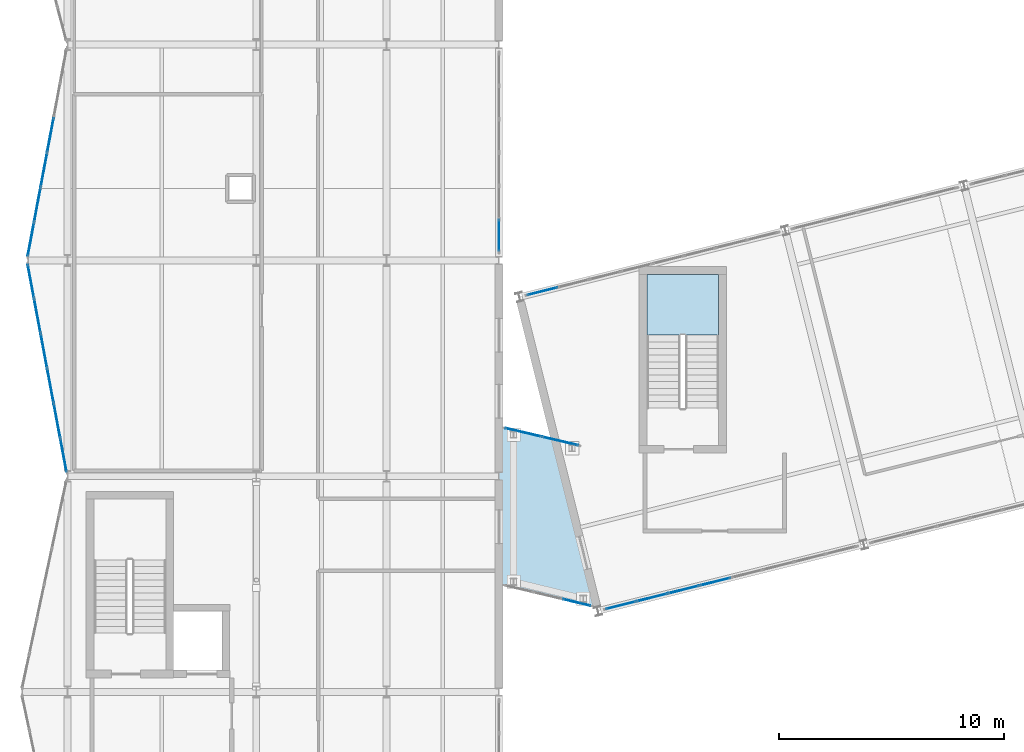
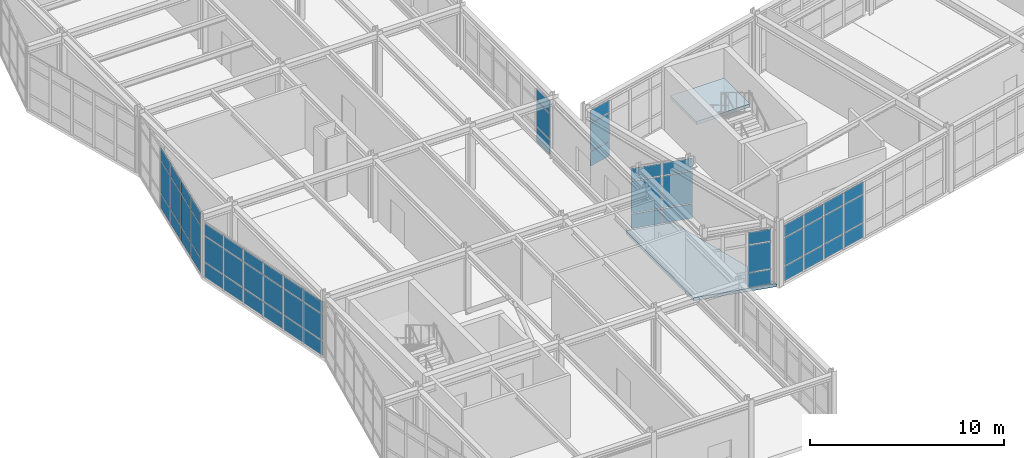
# One storey, part 45 of 76: 57 plates, 2 slabs, 8 elements without a shape of their own.
"""IFC4 building model written with IfcOpenShell, lengths in metres."""

import ifcopenshell
import ifcopenshell.guid

model = None  # the IFC model being written
_history = None  # IfcOwnerHistory: only IFC2X3 demands one
_inside = {}  # id of a spatial element -> (the spatial element, [elements in it])
_under = {}  # id of a project, library or spatial element -> (it, [spatial elements below it])
_declared = {}  # id of a project -> (the project, [libraries it declares])
_typed = {}  # id of a type object -> (the type object, [elements of that type])
_made_of = {}  # id of a material, layer set ... -> (it, [elements and type objects made of it])


def new_model(schema):
    """Start an empty IFC model of exactly this schema.

    Asked for "IFC4X3", IfcOpenShell would pick the latest addendum, in which some entities
    have other attributes; the version numbers below select the first issue.
    IFC2X3 requires an IfcOwnerHistory on every rooted entity: one is made here for all.
    """
    global model, _history
    if schema == "IFC4X3":
        model = ifcopenshell.file(schema_version=(4, 3, 0, 0))
    else:
        model = ifcopenshell.file(schema=schema)
    _inside.clear()
    _under.clear()
    _declared.clear()
    _typed.clear()
    _made_of.clear()
    _history = None
    if model.schema == "IFC2X3":
        org = make("IfcOrganization", Name="unknown")
        user = make(
            "IfcPersonAndOrganization",
            ThePerson=make("IfcPerson", FamilyName="unknown"),
            TheOrganization=org,
        )
        app = make(
            "IfcApplication",
            ApplicationDeveloper=org,
            Version="unknown",
            ApplicationFullName="unknown",
            ApplicationIdentifier="unknown",
        )
        _history = make(
            "IfcOwnerHistory",
            OwningUser=user,
            OwningApplication=app,
            ChangeAction="ADDED",
            CreationDate=0,
        )
    return model


def make(cls, **values):
    """One entity of the class cls with the attributes given. An attribute that is None is left unset."""
    return model.create_entity(
        cls, **{name: value for name, value in values.items() if value is not None}
    )


def rooted(cls, **values):
    """An entity with a GlobalId (a new one), such as an element, a storey or a relation."""
    return make(cls, GlobalId=ifcopenshell.guid.new(), OwnerHistory=_history, **values)


def si_unit(unit_type, name, prefix=None):
    """IfcSIUnit, for example si_unit("LENGTHUNIT", "METRE", prefix="MILLI")."""
    return make("IfcSIUnit", UnitType=unit_type, Prefix=prefix, Name=name)


def assignment(units):
    """IfcUnitAssignment: the units of a project."""
    return None if units is None else make("IfcUnitAssignment", Units=units)


def point(xyz):
    """IfcCartesianPoint."""
    return None if xyz is None else make("IfcCartesianPoint", Coordinates=xyz)


def direction(xyz):
    """IfcDirection."""
    return None if xyz is None else make("IfcDirection", DirectionRatios=xyz)


def frame(location, z_axis=None, x_axis=None):
    """IfcAxis2Placement3D, a coordinate frame: its origin and axes. An axis left out is left unset."""
    return make(
        "IfcAxis2Placement3D",
        Location=point(location),
        Axis=direction(z_axis),
        RefDirection=direction(x_axis),
    )


def frame_2d(location, x_axis=None):
    """IfcAxis2Placement2D, a coordinate frame in the plane: its origin and x axis."""
    return make(
        "IfcAxis2Placement2D", Location=point(location), RefDirection=direction(x_axis)
    )


def origin():
    """The frame at (0, 0, 0) with its axes left unset."""
    return frame((0.0, 0.0, 0.0))


def origin_2d():
    """The frame at (0, 0) in the plane with its x axis left unset."""
    return frame_2d((0.0, 0.0))


def place(relative_to, where):
    """IfcLocalPlacement: puts the frame where relative to a parent placement (None: the world)."""
    return make(
        "IfcLocalPlacement", PlacementRelTo=relative_to, RelativePlacement=where
    )


def context(
    kind, dimensions, precision=None, world=None, true_north=None, identifier=None
):
    """IfcGeometricRepresentationContext, for example the 3D "Model" context."""
    return make(
        "IfcGeometricRepresentationContext",
        ContextIdentifier=identifier,
        ContextType=kind,
        CoordinateSpaceDimension=dimensions,
        Precision=precision,
        WorldCoordinateSystem=world,
        TrueNorth=true_north,
    )


def subcontext(parent, identifier, kind, view, scale=None):
    """IfcGeometricRepresentationSubContext, for example "Body" below "Model"."""
    return make(
        "IfcGeometricRepresentationSubContext",
        ContextIdentifier=identifier,
        ContextType=kind,
        ParentContext=parent,
        TargetScale=scale,
        TargetView=view,
    )


def project(units=None, contexts=None):
    """IfcProject with its units and contexts."""
    return rooted(
        "IfcProject",
        Name="project",
        RepresentationContexts=contexts,
        UnitsInContext=assignment(units),
    )


def spatial(cls, under=None, at=None, **own):
    """A site, building, storey or space (cls), placed at a placement, below another one or the project."""
    s = rooted(cls, ObjectPlacement=at, **own)
    if under is not None:
        _under.setdefault(under.id(), (under, []))[1].append(s)
    return s


def polyline(points):
    """IfcPolyline through the points."""
    return make("IfcPolyline", Points=[point(p) for p in points])


def profile(cls, at=None, kind="AREA", **sizes):
    """A parametric profile (cls). Its sizes go by their IFC names, for example OverallWidth=200.0."""
    return make(cls, ProfileType=kind, Position=at, **sizes)


def rectangle(**sizes):
    """IfcRectangleProfileDef."""
    return profile("IfcRectangleProfileDef", **sizes)


def outline(outer, holes=None, kind="AREA"):
    """IfcArbitraryClosedProfileDef: a profile drawn as a closed curve; with holes, ...WithVoids."""
    if holes is None:
        return make("IfcArbitraryClosedProfileDef", ProfileType=kind, OuterCurve=outer)
    return make(
        "IfcArbitraryProfileDefWithVoids",
        ProfileType=kind,
        OuterCurve=outer,
        InnerCurves=holes,
    )


def extrude(swept, where, along, depth):
    """IfcExtrudedAreaSolid: the profile swept, set in the frame where, extruded along a direction by depth."""
    return make(
        "IfcExtrudedAreaSolid",
        SweptArea=swept,
        Position=where,
        ExtrudedDirection=direction(along),
        Depth=depth,
    )


def shape(context_of_items, identifier, shape_type, items):
    """IfcShapeRepresentation: the items that make up one representation, for example the "Body"."""
    return make(
        "IfcShapeRepresentation",
        ContextOfItems=context_of_items,
        RepresentationIdentifier=identifier,
        RepresentationType=shape_type,
        Items=items,
    )


def material(Name=None, Category=None):
    """IfcMaterial."""
    return make("IfcMaterial", Name=Name, Category=Category)


def layer(
    of_material, thickness, ventilated=None, Name=None, Category=None, Priority=None
):
    """IfcMaterialLayer: one layer of a wall or slab, of a material (None: an air gap)."""
    return make(
        "IfcMaterialLayer",
        Material=of_material,
        LayerThickness=thickness,
        IsVentilated=ventilated,
        Name=Name,
        Category=Category,
        Priority=Priority,
    )


def layer_set(layers, Name=None):
    """IfcMaterialLayerSet."""
    return make("IfcMaterialLayerSet", MaterialLayers=layers, LayerSetName=Name)


def made_of(thing, what):
    """Note that an element or type object is made of a material, layer set ...; save() writes the relation."""
    if what is not None:
        _made_of.setdefault(what.id(), (what, []))[1].append(thing)
    return thing


def type_object(cls, material=None, **own):
    """A type object (cls), such as IfcWallType, which elements share."""
    return made_of(rooted(cls, **own), material)


def element(
    cls,
    number,
    at=None,
    inside=None,
    cuts=None,
    type_object=None,
    material=None,
    context=None,
    identifier="Body",
    shape_type=None,
    held_by="IfcProductDefinitionShape",
    body=None,
    shapes=None,
    **own,
):
    """One element of the class cls, such as IfcWall. Its Tag is "e" and its number.

    at: its placement. inside: the storey or other place that contains it. cuts: it is an
    opening in that element (IfcRelVoidsElement). A single representation is given by context,
    identifier, shape_type and body (its items); several are given by shapes. held_by: the class
    of the entity that holds the representations. save() writes the other relations.
    """
    e = rooted(cls, Tag="e%d" % number, ObjectPlacement=at, **own)
    if body is not None:
        shapes = [shape(context, identifier, shape_type, body)]
    if shapes is not None:
        e.Representation = make(held_by, Representations=shapes)
    if inside is not None:
        _inside.setdefault(inside.id(), (inside, []))[1].append(e)
    if cuts is not None:
        rooted(
            "IfcRelVoidsElement", RelatingBuildingElement=cuts, RelatedOpeningElement=e
        )
    if type_object is not None:
        _typed.setdefault(type_object.id(), (type_object, []))[1].append(e)
    return made_of(e, material)


def aggregate(whole, parts):
    """IfcRelAggregates: a whole, such as a stair, and the parts it consists of."""
    return rooted("IfcRelAggregates", RelatingObject=whole, RelatedObjects=parts)


def save(model, path):
    """Write the relations noted so far, then the file.

    IfcRelAggregates (storeys below a building ...), IfcRelContainedInSpatialStructure (elements
    in a storey), IfcRelDefinesByType, IfcRelAssociatesMaterial and IfcRelDeclares: one each for
    every whole, place, type object, material and project.
    """
    for whole, parts in _under.values():
        aggregate(whole, parts)
    for where, things in _inside.values():
        rooted(
            "IfcRelContainedInSpatialStructure",
            RelatedElements=things,
            RelatingStructure=where,
        )
    for kind, things in _typed.values():
        rooted("IfcRelDefinesByType", RelatedObjects=things, RelatingType=kind)
    for what, things in _made_of.values():
        rooted("IfcRelAssociatesMaterial", RelatedObjects=things, RelatingMaterial=what)
    for by, libraries in _declared.values():
        rooted("IfcRelDeclares", RelatingContext=by, RelatedDefinitions=libraries)
    model.write(path)


model = new_model("IFC4")

# Units and contexts
model_context = context("Model", 3, precision=1e-05, world=origin(), true_north=direction((0.0, 1.0)))
body_context = subcontext(model_context, "Body", "Model", "MODEL_VIEW")
ifc_project = project(units=[si_unit("LENGTHUNIT", "METRE"), si_unit("AREAUNIT", "SQUARE_METRE"), si_unit("VOLUMEUNIT", "CUBIC_METRE"), si_unit("PLANEANGLEUNIT", "RADIAN"), si_unit("MASSUNIT", "GRAM", prefix="KILO")], contexts=[model_context])

# Site, building, storey
site_placement = place(None, origin())
site = spatial("IfcSite", under=ifc_project, at=site_placement, CompositionType="ELEMENT")
building_placement = place(site_placement, origin())
building = spatial("IfcBuilding", under=site, at=building_placement, Name="Nordkorset Police Headquarters", CompositionType="ELEMENT")
storey_placement = place(building_placement, frame((0.0, 0.0, 13.64990234375)))
storey = spatial("IfcBuildingStorey", under=building, at=storey_placement, Name="L03", CompositionType="ELEMENT", Elevation=13.64990234375)

# Curtain wall, plates
ifc_material_1 = material(Name="Aluminium alloy AW-6060", Category="aluminium")
ifc_layer_1 = layer(ifc_material_1, 0.179931640625, Name="Aluminium alloy AW-6060")
ifc_layer_set_1 = layer_set([ifc_layer_1], Name="Aluminium alloy AW-6060")
curtain_wall_type_1 = type_object("IfcCurtainWallType", Name="CW_Unit_949x352", PredefinedType="USERDEFINED", material=ifc_layer_set_1)
curtain_wall_1_placement = place(storey_placement, origin())
curtain_wall_1 = element("IfcCurtainWall", 1, at=curtain_wall_1_placement, inside=storey, type_object=curtain_wall_type_1, Name="Unitised Curtain Wall L03 V3W-2", ObjectType="UNITISED CURTAIN WALL", PredefinedType="USERDEFINED")
ifc_material_2 = material(Name="Low-iron triple glazing", Category="glass")
ifc_layer_2 = layer(ifc_material_2, 0.035888671875, Name="Low-iron triple glazing")
ifc_layer_set_2 = layer_set([ifc_layer_2], Name="Low-iron triple glazing")
plate_type = type_object("IfcPlateType", Name="CW_Panel_TripleGlazing_36", PredefinedType="CURTAIN_PANEL", material=ifc_layer_set_2)
plate_1_placement = place(storey_placement, frame((-0.174560546875, 48.9306640625, 0.06494140625), z_axis=(0.0, 0.0, 1.0), x_axis=(-0.184288535048, 0.982872186935, 0.0)))
plate_1 = element("IfcPlate", 2, at=plate_1_placement, type_object=plate_type, Name="CW-84 panel 1.1", PredefinedType="CURTAIN_PANEL", context=body_context, shape_type="SweptSolid", body=[
    extrude(rectangle(XDim=1.483642578125, YDim=0.035888671875, at=origin_2d()), origin(), (0.0, 0.0, 1.0), 0.902587890625),
])
plate_2_placement = place(storey_placement, frame((-0.174560546875, 48.9306640625, 1.03271484375), z_axis=(0.0, 0.0, 1.0), x_axis=(-0.184288535048, 0.982872186935, 0.0)))
plate_2 = element("IfcPlate", 3, at=plate_2_placement, type_object=plate_type, Name="CW-84 panel 1.2", PredefinedType="CURTAIN_PANEL", context=body_context, shape_type="SweptSolid", body=[
    extrude(rectangle(XDim=1.483642578125, YDim=0.035888671875, at=origin_2d()), origin(), (0.0, 0.0, 1.0), 1.60498046875),
])
plate_3_placement = place(storey_placement, frame((-0.174560546875, 48.9306640625, 2.70263671875), z_axis=(0.0, 0.0, 1.0), x_axis=(-0.184288535048, 0.982872186935, 0.0)))
plate_3 = element("IfcPlate", 4, at=plate_3_placement, type_object=plate_type, Name="CW-84 panel 1.3", PredefinedType="CURTAIN_PANEL", context=body_context, shape_type="SweptSolid", body=[
    extrude(rectangle(XDim=1.483642578125, YDim=0.035888671875, at=origin_2d()), origin(), (0.0, 0.0, 1.0), 0.75244140625),
])
plate_4_placement = place(storey_placement, frame((-0.462890625, 50.46875, 0.06494140625), z_axis=(0.0, 0.0, 1.0), x_axis=(-0.184288535048, 0.982872186935, 0.0)))
plate_4 = element("IfcPlate", 5, at=plate_4_placement, type_object=plate_type, Name="CW-84 panel 2.1", PredefinedType="CURTAIN_PANEL", context=body_context, shape_type="SweptSolid", body=[
    extrude(rectangle(XDim=1.51611328125, YDim=0.035888671875, at=origin_2d()), origin(), (0.0, 0.0, 1.0), 0.902587890625),
])
plate_5_placement = place(storey_placement, frame((-0.462890625, 50.46875, 1.03271484375), z_axis=(0.0, 0.0, 1.0), x_axis=(-0.184288535048, 0.982872186935, 0.0)))
plate_5 = element("IfcPlate", 6, at=plate_5_placement, type_object=plate_type, Name="CW-84 panel 2.2", PredefinedType="CURTAIN_PANEL", context=body_context, shape_type="SweptSolid", body=[
    extrude(rectangle(XDim=1.51611328125, YDim=0.035888671875, at=origin_2d()), origin(), (0.0, 0.0, 1.0), 1.60498046875),
])
plate_6_placement = place(storey_placement, frame((-0.462890625, 50.46875, 2.70263671875), z_axis=(0.0, 0.0, 1.0), x_axis=(-0.184288535048, 0.982872186935, 0.0)))
plate_6 = element("IfcPlate", 7, at=plate_6_placement, type_object=plate_type, Name="CW-84 panel 2.3", PredefinedType="CURTAIN_PANEL", context=body_context, shape_type="SweptSolid", body=[
    extrude(rectangle(XDim=1.51611328125, YDim=0.035888671875, at=origin_2d()), origin(), (0.0, 0.0, 1.0), 0.75244140625),
])
plate_7_placement = place(storey_placement, frame((-0.75439453125, 52.02294921875, 0.06494140625), z_axis=(0.0, 0.0, 1.0), x_axis=(-0.184288535048, 0.982872186935, 0.0)))
plate_7 = element("IfcPlate", 8, at=plate_7_placement, type_object=plate_type, Name="CW-84 panel 3.1", PredefinedType="CURTAIN_PANEL", context=body_context, shape_type="SweptSolid", body=[
    extrude(rectangle(XDim=1.51611328125, YDim=0.035888671875, at=origin_2d()), origin(), (0.0, 0.0, 1.0), 0.902587890625),
])
plate_8_placement = place(storey_placement, frame((-0.75439453125, 52.02294921875, 1.03271484375), z_axis=(0.0, 0.0, 1.0), x_axis=(-0.184288535048, 0.982872186935, 0.0)))
plate_8 = element("IfcPlate", 9, at=plate_8_placement, type_object=plate_type, Name="CW-84 panel 3.2", PredefinedType="CURTAIN_PANEL", context=body_context, shape_type="SweptSolid", body=[
    extrude(rectangle(XDim=1.51611328125, YDim=0.035888671875, at=origin_2d()), origin(), (0.0, 0.0, 1.0), 1.60498046875),
])
plate_9_placement = place(storey_placement, frame((-0.75439453125, 52.02294921875, 2.70263671875), z_axis=(0.0, 0.0, 1.0), x_axis=(-0.184288535048, 0.982872186935, 0.0)))
plate_9 = element("IfcPlate", 10, at=plate_9_placement, type_object=plate_type, Name="CW-84 panel 3.3", PredefinedType="CURTAIN_PANEL", context=body_context, shape_type="SweptSolid", body=[
    extrude(rectangle(XDim=1.51611328125, YDim=0.035888671875, at=origin_2d()), origin(), (0.0, 0.0, 1.0), 0.75244140625),
])
plate_10_placement = place(storey_placement, frame((-1.045654296875, 53.5771484375, 0.06494140625), z_axis=(0.0, 0.0, 1.0), x_axis=(-0.184288535048, 0.982872186935, 0.0)))
plate_10 = element("IfcPlate", 11, at=plate_10_placement, type_object=plate_type, Name="CW-84 panel 4.1", PredefinedType="CURTAIN_PANEL", context=body_context, shape_type="SweptSolid", body=[
    extrude(rectangle(XDim=1.51611328125, YDim=0.035888671875, at=origin_2d()), origin(), (0.0, 0.0, 1.0), 0.902587890625),
])
plate_11_placement = place(storey_placement, frame((-1.045654296875, 53.5771484375, 1.03271484375), z_axis=(0.0, 0.0, 1.0), x_axis=(-0.184288535048, 0.982872186935, 0.0)))
plate_11 = element("IfcPlate", 12, at=plate_11_placement, type_object=plate_type, Name="CW-84 panel 4.2", PredefinedType="CURTAIN_PANEL", context=body_context, shape_type="SweptSolid", body=[
    extrude(rectangle(XDim=1.51611328125, YDim=0.035888671875, at=origin_2d()), origin(), (0.0, 0.0, 1.0), 1.60498046875),
])
plate_12_placement = place(storey_placement, frame((-1.045654296875, 53.5771484375, 2.70263671875), z_axis=(0.0, 0.0, 1.0), x_axis=(-0.184288535048, 0.982872186935, 0.0)))
plate_12 = element("IfcPlate", 13, at=plate_12_placement, type_object=plate_type, Name="CW-84 panel 4.3", PredefinedType="CURTAIN_PANEL", context=body_context, shape_type="SweptSolid", body=[
    extrude(rectangle(XDim=1.51611328125, YDim=0.035888671875, at=origin_2d()), origin(), (0.0, 0.0, 1.0), 0.75244140625),
])
plate_13_placement = place(storey_placement, frame((-1.337158203125, 55.131103515625, 0.06494140625), z_axis=(0.0, 0.0, 1.0), x_axis=(-0.184288535048, 0.982872186935, 0.0)))
plate_13 = element("IfcPlate", 14, at=plate_13_placement, type_object=plate_type, Name="CW-84 panel 5.1", PredefinedType="CURTAIN_PANEL", context=body_context, shape_type="SweptSolid", body=[
    extrude(rectangle(XDim=1.51611328125, YDim=0.035888671875, at=origin_2d()), origin(), (0.0, 0.0, 1.0), 0.902587890625),
])
plate_14_placement = place(storey_placement, frame((-1.337158203125, 55.131103515625, 1.03271484375), z_axis=(0.0, 0.0, 1.0), x_axis=(-0.184288535048, 0.982872186935, 0.0)))
plate_14 = element("IfcPlate", 15, at=plate_14_placement, type_object=plate_type, Name="CW-84 panel 5.2", PredefinedType="CURTAIN_PANEL", context=body_context, shape_type="SweptSolid", body=[
    extrude(rectangle(XDim=1.51611328125, YDim=0.035888671875, at=origin_2d()), origin(), (0.0, 0.0, 1.0), 1.60498046875),
])
plate_15_placement = place(storey_placement, frame((-1.337158203125, 55.131103515625, 2.70263671875), z_axis=(0.0, 0.0, 1.0), x_axis=(-0.184288535048, 0.982872186935, 0.0)))
plate_15 = element("IfcPlate", 16, at=plate_15_placement, type_object=plate_type, Name="CW-84 panel 5.3", PredefinedType="CURTAIN_PANEL", context=body_context, shape_type="SweptSolid", body=[
    extrude(rectangle(XDim=1.51611328125, YDim=0.035888671875, at=origin_2d()), origin(), (0.0, 0.0, 1.0), 0.75244140625),
])
plate_16_placement = place(storey_placement, frame((-1.62548828125, 56.66943359375, 0.06494140625), z_axis=(0.0, 0.0, 1.0), x_axis=(-0.184288535048, 0.982872186935, 0.0)))
plate_16 = element("IfcPlate", 17, at=plate_16_placement, type_object=plate_type, Name="CW-84 panel 6.1", PredefinedType="CURTAIN_PANEL", context=body_context, shape_type="SweptSolid", body=[
    extrude(rectangle(XDim=1.483642578125, YDim=0.035888671875, at=origin_2d()), origin(), (0.0, 0.0, 1.0), 0.902587890625),
])
plate_17_placement = place(storey_placement, frame((-1.62548828125, 56.66943359375, 1.03271484375), z_axis=(0.0, 0.0, 1.0), x_axis=(-0.184288535048, 0.982872186935, 0.0)))
plate_17 = element("IfcPlate", 18, at=plate_17_placement, type_object=plate_type, Name="CW-84 panel 6.2", PredefinedType="CURTAIN_PANEL", context=body_context, shape_type="SweptSolid", body=[
    extrude(rectangle(XDim=1.483642578125, YDim=0.035888671875, at=origin_2d()), origin(), (0.0, 0.0, 1.0), 1.60498046875),
])
plate_18_placement = place(storey_placement, frame((-1.62548828125, 56.66943359375, 2.70263671875), z_axis=(0.0, 0.0, 1.0), x_axis=(-0.184288535048, 0.982872186935, 0.0)))
plate_18 = element("IfcPlate", 19, at=plate_18_placement, type_object=plate_type, Name="CW-84 panel 6.3", PredefinedType="CURTAIN_PANEL", context=body_context, shape_type="SweptSolid", body=[
    extrude(rectangle(XDim=1.483642578125, YDim=0.035888671875, at=origin_2d()), origin(), (0.0, 0.0, 1.0), 0.75244140625),
])
aggregate(curtain_wall_1, [plate_1, plate_2, plate_3, plate_4, plate_5, plate_6, plate_7, plate_8, plate_9, plate_10, plate_11, plate_12, plate_13, plate_14, plate_15, plate_16, plate_17, plate_18])

ifc_material_3 = material(Name="Aluminium alloy AW-6060", Category="aluminium")
ifc_layer_3 = layer(ifc_material_3, 0.179931640625, Name="Aluminium alloy AW-6060")
ifc_layer_set_3 = layer_set([ifc_layer_3], Name="Aluminium alloy AW-6060")
curtain_wall_type_2 = type_object("IfcCurtainWallType", Name="CW_Unit_949x392", PredefinedType="USERDEFINED", material=ifc_layer_set_3)
curtain_wall_2_placement = place(storey_placement, origin())
curtain_wall_2 = element("IfcCurtainWall", 20, at=curtain_wall_2_placement, inside=storey, type_object=curtain_wall_type_2, Name="Unitised Curtain Wall L03 V3W-3", ObjectType="UNITISED CURTAIN WALL", PredefinedType="USERDEFINED")
plate_19_placement = place(storey_placement, frame((-1.62548828125, 58.530517578125, 0.06494140625), z_axis=(0.0, 0.0, 1.0), x_axis=(0.184288535048, 0.982872186935, 0.0)))
plate_19 = element("IfcPlate", 21, at=plate_19_placement, type_object=plate_type, Name="CW-49 panel 1.1", PredefinedType="CURTAIN_PANEL", context=body_context, shape_type="SweptSolid", body=[
    extrude(rectangle(XDim=1.483642578125, YDim=0.035888671875, at=origin_2d()), origin(), (0.0, 0.0, 1.0), 0.902587890625),
])
plate_20_placement = place(storey_placement, frame((-1.62548828125, 58.530517578125, 1.03271484375), z_axis=(0.0, 0.0, 1.0), x_axis=(0.184288535048, 0.982872186935, 0.0)))
plate_20 = element("IfcPlate", 22, at=plate_20_placement, type_object=plate_type, Name="CW-49 panel 1.2", PredefinedType="CURTAIN_PANEL", context=body_context, shape_type="SweptSolid", body=[
    extrude(rectangle(XDim=1.483642578125, YDim=0.035888671875, at=origin_2d()), origin(), (0.0, 0.0, 1.0), 2.0048828125),
])
plate_21_placement = place(storey_placement, frame((-1.62548828125, 58.530517578125, 3.1025390625), z_axis=(0.0, 0.0, 1.0), x_axis=(0.184288535048, 0.982872186935, 0.0)))
plate_21 = element("IfcPlate", 23, at=plate_21_placement, type_object=plate_type, Name="CW-49 panel 1.3", PredefinedType="CURTAIN_PANEL", context=body_context, shape_type="SweptSolid", body=[
    extrude(rectangle(XDim=1.483642578125, YDim=0.035888671875, at=origin_2d()), origin(), (0.0, 0.0, 1.0), 0.75244140625),
])
plate_22_placement = place(storey_placement, frame((-1.337158203125, 60.06884765625, 0.06494140625), z_axis=(0.0, 0.0, 1.0), x_axis=(0.184288535048, 0.982872186935, 0.0)))
plate_22 = element("IfcPlate", 24, at=plate_22_placement, type_object=plate_type, Name="CW-49 panel 2.1", PredefinedType="CURTAIN_PANEL", context=body_context, shape_type="SweptSolid", body=[
    extrude(rectangle(XDim=1.51611328125, YDim=0.035888671875, at=origin_2d()), origin(), (0.0, 0.0, 1.0), 0.902587890625),
])
plate_23_placement = place(storey_placement, frame((-1.337158203125, 60.06884765625, 1.03271484375), z_axis=(0.0, 0.0, 1.0), x_axis=(0.184288535048, 0.982872186935, 0.0)))
plate_23 = element("IfcPlate", 25, at=plate_23_placement, type_object=plate_type, Name="CW-49 panel 2.2", PredefinedType="CURTAIN_PANEL", context=body_context, shape_type="SweptSolid", body=[
    extrude(rectangle(XDim=1.51611328125, YDim=0.035888671875, at=origin_2d()), origin(), (0.0, 0.0, 1.0), 2.0048828125),
])
plate_24_placement = place(storey_placement, frame((-1.337158203125, 60.06884765625, 3.1025390625), z_axis=(0.0, 0.0, 1.0), x_axis=(0.184288535048, 0.982872186935, 0.0)))
plate_24 = element("IfcPlate", 26, at=plate_24_placement, type_object=plate_type, Name="CW-49 panel 2.3", PredefinedType="CURTAIN_PANEL", context=body_context, shape_type="SweptSolid", body=[
    extrude(rectangle(XDim=1.51611328125, YDim=0.035888671875, at=origin_2d()), origin(), (0.0, 0.0, 1.0), 0.75244140625),
])
plate_25_placement = place(storey_placement, frame((-1.045654296875, 61.623046875, 0.06494140625), z_axis=(0.0, 0.0, 1.0), x_axis=(0.184288535048, 0.982872186935, 0.0)))
plate_25 = element("IfcPlate", 27, at=plate_25_placement, type_object=plate_type, Name="CW-49 panel 3.1", PredefinedType="CURTAIN_PANEL", context=body_context, shape_type="SweptSolid", body=[
    extrude(rectangle(XDim=1.51611328125, YDim=0.035888671875, at=origin_2d()), origin(), (0.0, 0.0, 1.0), 0.902587890625),
])
plate_26_placement = place(storey_placement, frame((-1.045654296875, 61.623046875, 1.03271484375), z_axis=(0.0, 0.0, 1.0), x_axis=(0.184288535048, 0.982872186935, 0.0)))
plate_26 = element("IfcPlate", 28, at=plate_26_placement, type_object=plate_type, Name="CW-49 panel 3.2", PredefinedType="CURTAIN_PANEL", context=body_context, shape_type="SweptSolid", body=[
    extrude(rectangle(XDim=1.51611328125, YDim=0.035888671875, at=origin_2d()), origin(), (0.0, 0.0, 1.0), 2.0048828125),
])
plate_27_placement = place(storey_placement, frame((-1.045654296875, 61.623046875, 3.1025390625), z_axis=(0.0, 0.0, 1.0), x_axis=(0.184288535048, 0.982872186935, 0.0)))
plate_27 = element("IfcPlate", 29, at=plate_27_placement, type_object=plate_type, Name="CW-49 panel 3.3", PredefinedType="CURTAIN_PANEL", context=body_context, shape_type="SweptSolid", body=[
    extrude(rectangle(XDim=1.51611328125, YDim=0.035888671875, at=origin_2d()), origin(), (0.0, 0.0, 1.0), 0.75244140625),
])
plate_28_placement = place(storey_placement, frame((-0.75439453125, 63.177001953125, 0.06494140625), z_axis=(0.0, 0.0, 1.0), x_axis=(0.184288535048, 0.982872186935, 0.0)))
plate_28 = element("IfcPlate", 30, at=plate_28_placement, type_object=plate_type, Name="CW-49 panel 4.1", PredefinedType="CURTAIN_PANEL", context=body_context, shape_type="SweptSolid", body=[
    extrude(rectangle(XDim=1.51611328125, YDim=0.035888671875, at=origin_2d()), origin(), (0.0, 0.0, 1.0), 0.902587890625),
])
plate_29_placement = place(storey_placement, frame((-0.75439453125, 63.177001953125, 1.03271484375), z_axis=(0.0, 0.0, 1.0), x_axis=(0.184288535048, 0.982872186935, 0.0)))
plate_29 = element("IfcPlate", 31, at=plate_29_placement, type_object=plate_type, Name="CW-49 panel 4.2", PredefinedType="CURTAIN_PANEL", context=body_context, shape_type="SweptSolid", body=[
    extrude(rectangle(XDim=1.51611328125, YDim=0.035888671875, at=origin_2d()), origin(), (0.0, 0.0, 1.0), 2.0048828125),
])
plate_30_placement = place(storey_placement, frame((-0.75439453125, 63.177001953125, 3.1025390625), z_axis=(0.0, 0.0, 1.0), x_axis=(0.184288535048, 0.982872186935, 0.0)))
plate_30 = element("IfcPlate", 32, at=plate_30_placement, type_object=plate_type, Name="CW-49 panel 4.3", PredefinedType="CURTAIN_PANEL", context=body_context, shape_type="SweptSolid", body=[
    extrude(rectangle(XDim=1.51611328125, YDim=0.035888671875, at=origin_2d()), origin(), (0.0, 0.0, 1.0), 0.75244140625),
])
aggregate(curtain_wall_2, [plate_19, plate_20, plate_21, plate_22, plate_23, plate_24, plate_25, plate_26, plate_27, plate_28, plate_29, plate_30])

ifc_material_4 = material(Name="Aluminium alloy AW-6060", Category="aluminium")
ifc_layer_4 = layer(ifc_material_4, 0.179931640625, Name="Aluminium alloy AW-6060")
ifc_layer_set_4 = layer_set([ifc_layer_4], Name="Aluminium alloy AW-6060")
curtain_wall_type_3 = type_object("IfcCurtainWallType", Name="CW_Unit_888x350", PredefinedType="USERDEFINED", material=ifc_layer_set_4)
curtain_wall_3_placement = place(storey_placement, origin())
curtain_wall_3 = element("IfcCurtainWall", 33, at=curtain_wall_3_placement, inside=storey, type_object=curtain_wall_type_3, Name="Unitised Curtain Wall L03 V3E-3", ObjectType="UNITISED CURTAIN WALL", PredefinedType="USERDEFINED")
plate_31_placement = place(storey_placement, frame((19.199951171875, 58.71630859375, 0.06494140625), z_axis=(0.0, 0.0, 1.0), x_axis=(0.0, 1.0, 0.0)))
plate_31 = element("IfcPlate", 34, at=plate_31_placement, type_object=plate_type, Name="CW-95 panel 1.1", PredefinedType="CURTAIN_PANEL", context=body_context, shape_type="SweptSolid", body=[
    extrude(rectangle(XDim=1.382568359375, YDim=0.035888671875, at=origin_2d()), origin(), (0.0, 0.0, 1.0), 0.902587890625),
])
plate_32_placement = place(storey_placement, frame((19.199951171875, 58.71630859375, 1.03271484375), z_axis=(0.0, 0.0, 1.0), x_axis=(0.0, 1.0, 0.0)))
plate_32 = element("IfcPlate", 35, at=plate_32_placement, type_object=plate_type, Name="CW-95 panel 1.2", PredefinedType="CURTAIN_PANEL", context=body_context, shape_type="SweptSolid", body=[
    extrude(rectangle(XDim=1.382568359375, YDim=0.035888671875, at=origin_2d()), origin(), (0.0, 0.0, 1.0), 1.590087890625),
])
plate_33_placement = place(storey_placement, frame((19.199951171875, 58.71630859375, 2.687744140625), z_axis=(0.0, 0.0, 1.0), x_axis=(0.0, 1.0, 0.0)))
plate_33 = element("IfcPlate", 36, at=plate_33_placement, type_object=plate_type, Name="CW-95 panel 1.3", PredefinedType="CURTAIN_PANEL", context=body_context, shape_type="SweptSolid", body=[
    extrude(rectangle(XDim=1.382568359375, YDim=0.035888671875, at=origin_2d()), origin(), (0.0, 0.0, 1.0), 0.75244140625),
])
aggregate(curtain_wall_3, [plate_31, plate_32, plate_33])

ifc_material_5 = material(Name="Aluminium alloy AW-6060", Category="aluminium")
ifc_layer_5 = layer(ifc_material_5, 0.179931640625, Name="Aluminium alloy AW-6060")
ifc_layer_set_5 = layer_set([ifc_layer_5], Name="Aluminium alloy AW-6060")
curtain_wall_type_4 = type_object("IfcCurtainWallType", Name="CW_Unit_1156x365", PredefinedType="USERDEFINED", material=ifc_layer_set_5)
curtain_wall_4_placement = place(storey_placement, origin())
curtain_wall_4 = element("IfcCurtainWall", 37, at=curtain_wall_4_placement, inside=storey, type_object=curtain_wall_type_4, Name="Unitised Curtain Wall L03 V4S-0", ObjectType="UNITISED CURTAIN WALL", PredefinedType="USERDEFINED")
plate_34_placement = place(storey_placement, frame((24.627197265625, 42.2568359375, 0.06494140625), z_axis=(0.0, 0.0, 1.0), x_axis=(0.970142500145, 0.242535625038, 0.0)))
plate_34 = element("IfcPlate", 38, at=plate_34_placement, type_object=plate_type, Name="CW-38 panel 1.1", PredefinedType="CURTAIN_PANEL", context=body_context, shape_type="SweptSolid", body=[
    extrude(rectangle(XDim=1.347412109375, YDim=0.035888671875, at=origin_2d()), origin(), (0.0, 0.0, 1.0), 0.902587890625),
])
plate_35_placement = place(storey_placement, frame((24.627197265625, 42.2568359375, 1.03271484375), z_axis=(0.0, 0.0, 1.0), x_axis=(0.970142500145, 0.242535625038, 0.0)))
plate_35 = element("IfcPlate", 39, at=plate_35_placement, type_object=plate_type, Name="CW-38 panel 1.2", PredefinedType="CURTAIN_PANEL", context=body_context, shape_type="SweptSolid", body=[
    extrude(rectangle(XDim=1.347412109375, YDim=0.035888671875, at=origin_2d()), origin(), (0.0, 0.0, 1.0), 1.735107421875),
])
plate_36_placement = place(storey_placement, frame((24.627197265625, 42.2568359375, 2.83251953125), z_axis=(0.0, 0.0, 1.0), x_axis=(0.970142500145, 0.242535625038, 0.0)))
plate_36 = element("IfcPlate", 40, at=plate_36_placement, type_object=plate_type, Name="CW-38 panel 1.3", PredefinedType="CURTAIN_PANEL", context=body_context, shape_type="SweptSolid", body=[
    extrude(rectangle(XDim=1.347412109375, YDim=0.035888671875, at=origin_2d()), origin(), (0.0, 0.0, 1.0), 0.75244140625),
])
plate_37_placement = place(storey_placement, frame((26.01318359375, 42.603271484375, 0.06494140625), z_axis=(0.0, 0.0, 1.0), x_axis=(0.970142500145, 0.242535625038, 0.0)))
plate_37 = element("IfcPlate", 41, at=plate_37_placement, type_object=plate_type, Name="CW-38 panel 2.1", PredefinedType="CURTAIN_PANEL", context=body_context, shape_type="SweptSolid", body=[
    extrude(rectangle(XDim=1.3798828125, YDim=0.035888671875, at=origin_2d()), origin(), (0.0, 0.0, 1.0), 0.902587890625),
])
plate_38_placement = place(storey_placement, frame((26.01318359375, 42.603271484375, 1.03271484375), z_axis=(0.0, 0.0, 1.0), x_axis=(0.970142500145, 0.242535625038, 0.0)))
plate_38 = element("IfcPlate", 42, at=plate_38_placement, type_object=plate_type, Name="CW-38 panel 2.2", PredefinedType="CURTAIN_PANEL", context=body_context, shape_type="SweptSolid", body=[
    extrude(rectangle(XDim=1.3798828125, YDim=0.035888671875, at=origin_2d()), origin(), (0.0, 0.0, 1.0), 1.735107421875),
])
plate_39_placement = place(storey_placement, frame((26.01318359375, 42.603271484375, 2.83251953125), z_axis=(0.0, 0.0, 1.0), x_axis=(0.970142500145, 0.242535625038, 0.0)))
plate_39 = element("IfcPlate", 43, at=plate_39_placement, type_object=plate_type, Name="CW-38 panel 2.3", PredefinedType="CURTAIN_PANEL", context=body_context, shape_type="SweptSolid", body=[
    extrude(rectangle(XDim=1.3798828125, YDim=0.035888671875, at=origin_2d()), origin(), (0.0, 0.0, 1.0), 0.75244140625),
])
plate_40_placement = place(storey_placement, frame((27.4150390625, 42.953857421875, 0.06494140625), z_axis=(0.0, 0.0, 1.0), x_axis=(0.970142500145, 0.242535625038, 0.0)))
plate_40 = element("IfcPlate", 44, at=plate_40_placement, type_object=plate_type, Name="CW-38 panel 3.1", PredefinedType="CURTAIN_PANEL", context=body_context, shape_type="SweptSolid", body=[
    extrude(rectangle(XDim=1.3798828125, YDim=0.035888671875, at=origin_2d()), origin(), (0.0, 0.0, 1.0), 0.902587890625),
])
plate_41_placement = place(storey_placement, frame((27.4150390625, 42.953857421875, 1.03271484375), z_axis=(0.0, 0.0, 1.0), x_axis=(0.970142500145, 0.242535625038, 0.0)))
plate_41 = element("IfcPlate", 45, at=plate_41_placement, type_object=plate_type, Name="CW-38 panel 3.2", PredefinedType="CURTAIN_PANEL", context=body_context, shape_type="SweptSolid", body=[
    extrude(rectangle(XDim=1.3798828125, YDim=0.035888671875, at=origin_2d()), origin(), (0.0, 0.0, 1.0), 1.735107421875),
])
plate_42_placement = place(storey_placement, frame((27.4150390625, 42.953857421875, 2.83251953125), z_axis=(0.0, 0.0, 1.0), x_axis=(0.970142500145, 0.242535625038, 0.0)))
plate_42 = element("IfcPlate", 46, at=plate_42_placement, type_object=plate_type, Name="CW-38 panel 3.3", PredefinedType="CURTAIN_PANEL", context=body_context, shape_type="SweptSolid", body=[
    extrude(rectangle(XDim=1.3798828125, YDim=0.035888671875, at=origin_2d()), origin(), (0.0, 0.0, 1.0), 0.75244140625),
])
plate_43_placement = place(storey_placement, frame((28.81689453125, 43.30419921875, 0.06494140625), z_axis=(0.0, 0.0, 1.0), x_axis=(0.970142500145, 0.242535625038, 0.0)))
plate_43 = element("IfcPlate", 47, at=plate_43_placement, type_object=plate_type, Name="CW-38 panel 4.1", PredefinedType="CURTAIN_PANEL", context=body_context, shape_type="SweptSolid", body=[
    extrude(rectangle(XDim=1.3798828125, YDim=0.035888671875, at=origin_2d()), origin(), (0.0, 0.0, 1.0), 0.902587890625),
])
plate_44_placement = place(storey_placement, frame((28.81689453125, 43.30419921875, 1.03271484375), z_axis=(0.0, 0.0, 1.0), x_axis=(0.970142500145, 0.242535625038, 0.0)))
plate_44 = element("IfcPlate", 48, at=plate_44_placement, type_object=plate_type, Name="CW-38 panel 4.2", PredefinedType="CURTAIN_PANEL", context=body_context, shape_type="SweptSolid", body=[
    extrude(rectangle(XDim=1.3798828125, YDim=0.035888671875, at=origin_2d()), origin(), (0.0, 0.0, 1.0), 1.735107421875),
])
plate_45_placement = place(storey_placement, frame((28.81689453125, 43.30419921875, 2.83251953125), z_axis=(0.0, 0.0, 1.0), x_axis=(0.970142500145, 0.242535625038, 0.0)))
plate_45 = element("IfcPlate", 49, at=plate_45_placement, type_object=plate_type, Name="CW-38 panel 4.3", PredefinedType="CURTAIN_PANEL", context=body_context, shape_type="SweptSolid", body=[
    extrude(rectangle(XDim=1.3798828125, YDim=0.035888671875, at=origin_2d()), origin(), (0.0, 0.0, 1.0), 0.75244140625),
])
aggregate(curtain_wall_4, [plate_34, plate_35, plate_36, plate_37, plate_38, plate_39, plate_40, plate_41, plate_42, plate_43, plate_44, plate_45])

curtain_wall_5_placement = place(storey_placement, origin())
curtain_wall_5 = element("IfcCurtainWall", 50, at=curtain_wall_5_placement, inside=storey, type_object=curtain_wall_type_4, Name="Unitised Curtain Wall L03 V4N-0", ObjectType="UNITISED CURTAIN WALL", PredefinedType="USERDEFINED")
plate_46_placement = place(storey_placement, frame((21.134521484375, 56.226806640625, 0.06494140625), z_axis=(0.0, 0.0, 1.0), x_axis=(0.970142347489, 0.242536235663, 0.0)))
plate_46 = element("IfcPlate", 51, at=plate_46_placement, type_object=plate_type, Name="CW-38 panel 1.1", PredefinedType="CURTAIN_PANEL", context=body_context, shape_type="SweptSolid", body=[
    extrude(rectangle(XDim=1.347412109375, YDim=0.035888671875, at=origin_2d()), origin(), (0.0, 0.0, 1.0), 0.902587890625),
])
plate_47_placement = place(storey_placement, frame((21.134521484375, 56.226806640625, 1.03271484375), z_axis=(0.0, 0.0, 1.0), x_axis=(0.970142347489, 0.242536235663, 0.0)))
plate_47 = element("IfcPlate", 52, at=plate_47_placement, type_object=plate_type, Name="CW-38 panel 1.2", PredefinedType="CURTAIN_PANEL", context=body_context, shape_type="SweptSolid", body=[
    extrude(rectangle(XDim=1.347412109375, YDim=0.035888671875, at=origin_2d()), origin(), (0.0, 0.0, 1.0), 1.735107421875),
])
plate_48_placement = place(storey_placement, frame((21.134521484375, 56.226806640625, 2.83251953125), z_axis=(0.0, 0.0, 1.0), x_axis=(0.970142347489, 0.242536235663, 0.0)))
plate_48 = element("IfcPlate", 53, at=plate_48_placement, type_object=plate_type, Name="CW-38 panel 1.3", PredefinedType="CURTAIN_PANEL", context=body_context, shape_type="SweptSolid", body=[
    extrude(rectangle(XDim=1.347412109375, YDim=0.035888671875, at=origin_2d()), origin(), (0.0, 0.0, 1.0), 0.75244140625),
])
aggregate(curtain_wall_5, [plate_46, plate_47, plate_48])

ifc_material_6 = material(Name="Aluminium alloy AW-6060", Category="aluminium")
ifc_layer_6 = layer(ifc_material_6, 0.179931640625, Name="Aluminium alloy AW-6060")
ifc_layer_set_6 = layer_set([ifc_layer_6], Name="Aluminium alloy AW-6060")
curtain_wall_type_5 = type_object("IfcCurtainWallType", Name="CW_Unit_401x360", PredefinedType="USERDEFINED", material=ifc_layer_set_6)
curtain_wall_6_placement = place(storey_placement, origin())
curtain_wall_6 = element("IfcCurtainWall", 54, at=curtain_wall_6_placement, inside=storey, type_object=curtain_wall_type_5, Name="Unitised Curtain Wall L03 BRGW-S", ObjectType="UNITISED CURTAIN WALL", PredefinedType="USERDEFINED")
plate_49_placement = place(storey_placement, frame((22.6591796875, 42.3798828125, 0.06494140625), z_axis=(0.0, 0.0, 1.0), x_axis=(0.972904739966, -0.231206329825, 0.0)))
plate_49 = element("IfcPlate", 55, at=plate_49_placement, type_object=plate_type, Name="CW-75 panel 3.1", PredefinedType="CURTAIN_PANEL", context=body_context, shape_type="SweptSolid", body=[
    extrude(rectangle(XDim=1.238525390625, YDim=0.035888671875, at=origin_2d()), origin(), (0.0, 0.0, 1.0), 0.902587890625),
])
plate_50_placement = place(storey_placement, frame((22.6591796875, 42.3798828125, 1.03271484375), z_axis=(0.0, 0.0, 1.0), x_axis=(0.972904739966, -0.231206329825, 0.0)))
plate_50 = element("IfcPlate", 56, at=plate_50_placement, type_object=plate_type, Name="CW-75 panel 3.2", PredefinedType="CURTAIN_PANEL", context=body_context, shape_type="SweptSolid", body=[
    extrude(rectangle(XDim=1.238525390625, YDim=0.035888671875, at=origin_2d()), origin(), (0.0, 0.0, 1.0), 1.679931640625),
])
plate_51_placement = place(storey_placement, frame((22.6591796875, 42.3798828125, 2.777587890625), z_axis=(0.0, 0.0, 1.0), x_axis=(0.972904739966, -0.231206329825, 0.0)))
plate_51 = element("IfcPlate", 57, at=plate_51_placement, type_object=plate_type, Name="CW-75 panel 3.3", PredefinedType="CURTAIN_PANEL", context=body_context, shape_type="SweptSolid", body=[
    extrude(rectangle(XDim=1.238525390625, YDim=0.035888671875, at=origin_2d()), origin(), (0.0, 0.0, 1.0), 0.75244140625),
])
aggregate(curtain_wall_6, [plate_49, plate_50, plate_51])

ifc_material_7 = material(Name="Aluminium alloy AW-6060", Category="aluminium")
ifc_layer_7 = layer(ifc_material_7, 0.179931640625, Name="Aluminium alloy AW-6060")
ifc_layer_set_7 = layer_set([ifc_layer_7], Name="Aluminium alloy AW-6060")
curtain_wall_type_6 = type_object("IfcCurtainWallType", Name="CW_Unit_344x392", PredefinedType="USERDEFINED", material=ifc_layer_set_7)
curtain_wall_7_placement = place(storey_placement, origin())
curtain_wall_7 = element("IfcCurtainWall", 58, at=curtain_wall_7_placement, inside=storey, type_object=curtain_wall_type_6, Name="Unitised Curtain Wall L03 BRGW-N", ObjectType="UNITISED CURTAIN WALL", PredefinedType="USERDEFINED")
plate_52_placement = place(storey_placement, frame((20.2783203125, 49.9482421875, 0.06494140625), z_axis=(0.0, 0.0, 1.0), x_axis=(0.973451612554, -0.228892896387, 0.0)))
plate_52 = element("IfcPlate", 59, at=plate_52_placement, type_object=plate_type, Name="CW-51 panel 1.1", PredefinedType="CURTAIN_PANEL", context=body_context, shape_type="SweptSolid", body=[
    extrude(rectangle(XDim=1.623046875, YDim=0.035888671875, at=origin_2d()), origin(), (0.0, 0.0, 1.0), 0.902587890625),
])
plate_53_placement = place(storey_placement, frame((20.2783203125, 49.9482421875, 1.03271484375), z_axis=(0.0, 0.0, 1.0), x_axis=(0.973451612554, -0.228892896387, 0.0)))
plate_53 = element("IfcPlate", 60, at=plate_53_placement, type_object=plate_type, Name="CW-51 panel 1.2", PredefinedType="CURTAIN_PANEL", context=body_context, shape_type="SweptSolid", body=[
    extrude(rectangle(XDim=1.623046875, YDim=0.035888671875, at=origin_2d()), origin(), (0.0, 0.0, 1.0), 2.0048828125),
])
plate_54_placement = place(storey_placement, frame((20.2783203125, 49.9482421875, 3.1025390625), z_axis=(0.0, 0.0, 1.0), x_axis=(0.973451612554, -0.228892896387, 0.0)))
plate_54 = element("IfcPlate", 61, at=plate_54_placement, type_object=plate_type, Name="CW-51 panel 1.3", PredefinedType="CURTAIN_PANEL", context=body_context, shape_type="SweptSolid", body=[
    extrude(rectangle(XDim=1.623046875, YDim=0.035888671875, at=origin_2d()), origin(), (0.0, 0.0, 1.0), 0.75244140625),
])
plate_55_placement = place(storey_placement, frame((21.921630859375, 49.561767578125, 0.06494140625), z_axis=(0.0, 0.0, 1.0), x_axis=(0.973451612554, -0.228892896387, 0.0)))
plate_55 = element("IfcPlate", 62, at=plate_55_placement, type_object=plate_type, Name="CW-51 panel 2.1", PredefinedType="CURTAIN_PANEL", context=body_context, shape_type="SweptSolid", body=[
    extrude(rectangle(XDim=1.623046875, YDim=0.035888671875, at=origin_2d()), origin(), (0.0, 0.0, 1.0), 0.902587890625),
])
plate_56_placement = place(storey_placement, frame((21.921630859375, 49.561767578125, 1.03271484375), z_axis=(0.0, 0.0, 1.0), x_axis=(0.973451612554, -0.228892896387, 0.0)))
plate_56 = element("IfcPlate", 63, at=plate_56_placement, type_object=plate_type, Name="CW-51 panel 2.2", PredefinedType="CURTAIN_PANEL", context=body_context, shape_type="SweptSolid", body=[
    extrude(rectangle(XDim=1.623046875, YDim=0.035888671875, at=origin_2d()), origin(), (0.0, 0.0, 1.0), 2.0048828125),
])
plate_57_placement = place(storey_placement, frame((21.921630859375, 49.561767578125, 3.1025390625), z_axis=(0.0, 0.0, 1.0), x_axis=(0.973451612554, -0.228892896387, 0.0)))
plate_57 = element("IfcPlate", 64, at=plate_57_placement, type_object=plate_type, Name="CW-51 panel 2.3", PredefinedType="CURTAIN_PANEL", context=body_context, shape_type="SweptSolid", body=[
    extrude(rectangle(XDim=1.623046875, YDim=0.035888671875, at=origin_2d()), origin(), (0.0, 0.0, 1.0), 0.75244140625),
])
aggregate(curtain_wall_7, [plate_52, plate_53, plate_54, plate_55, plate_56, plate_57])

# Slab
ifc_material_8 = material(Name="Concrete C35/45", Category="concrete")
ifc_layer_8 = layer(ifc_material_8, 0.195068359375, Name="Concrete C35/45")
ifc_layer_set_8 = layer_set([ifc_layer_8], Name="Concrete C35/45")
slab_type_1 = type_object("IfcSlabType", Name="Slab_Bridge_195", PredefinedType="FLOOR", material=ifc_layer_set_8)
slab_1_placement = place(storey_placement, frame((0.0, 0.0, -0.19482421875)))
element("IfcSlab", 65, at=slab_1_placement, inside=storey, type_object=slab_type_1, Name="West Courtyard Glazed Link Bridge Floor Slab L03", PredefinedType="FLOOR", context=body_context, shape_type="SweptSolid", body=[
    extrude(outline(polyline([(19.205078125, 43.199951171875), (19.205078125, 50.199951171875), (21.69580078125, 49.616943359375), (23.5576171875, 42.169189453125), (19.205078125, 43.199951171875)])), origin(), (0.0, 0.0, 1.0), 0.19482421875),
])

# Stair, slab
ifc_material_9 = material(Name="Concrete C35/45", Category="concrete")
stair_type = type_object("IfcStairType", Name="ST-42", PredefinedType="HALF_TURN_STAIR", material=ifc_material_9)
stair_placement = place(storey_placement, origin())
stair = element("IfcStair", 66, at=stair_placement, inside=storey, type_object=stair_type, Name="L03 Protected Escape Stair ST-08", PredefinedType="HALF_TURN_STAIR")
ifc_material_10 = material(Name="Concrete C35/45", Category="concrete")
ifc_layer_9 = layer(ifc_material_10, 0.199951171875, Name="Concrete C35/45")
ifc_layer_set_9 = layer_set([ifc_layer_9], Name="Concrete C35/45")
slab_type_2 = type_object("IfcSlabType", Name="Slab_StairLanding_200", PredefinedType="LANDING", material=ifc_layer_set_9)
slab_2_placement = place(storey_placement, frame((0.0, 0.0, 1.900146484375)))
slab_2 = element("IfcSlab", 67, at=slab_2_placement, type_object=slab_type_2, Name="ST-08 landing 1", PredefinedType="LANDING", context=body_context, shape_type="SweptSolid", body=[
    extrude(outline(polyline([(28.97509765625, 54.27001953125), (28.97509765625, 56.97509765625), (25.77490234375, 56.97509765625), (25.77490234375, 54.27001953125), (28.97509765625, 54.27001953125)])), origin(), (0.0, 0.0, 1.0), 0.199951171875),
])
aggregate(stair, [slab_2])

save(model, "model.ifc")
